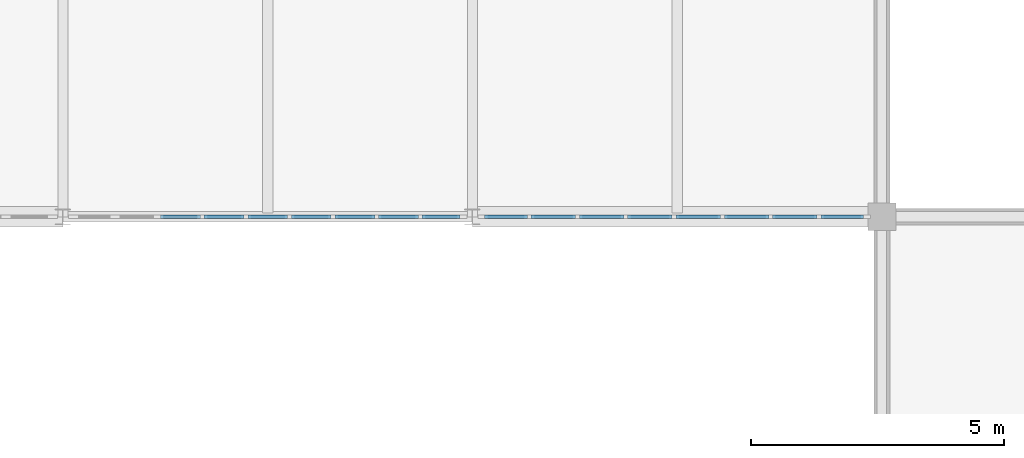
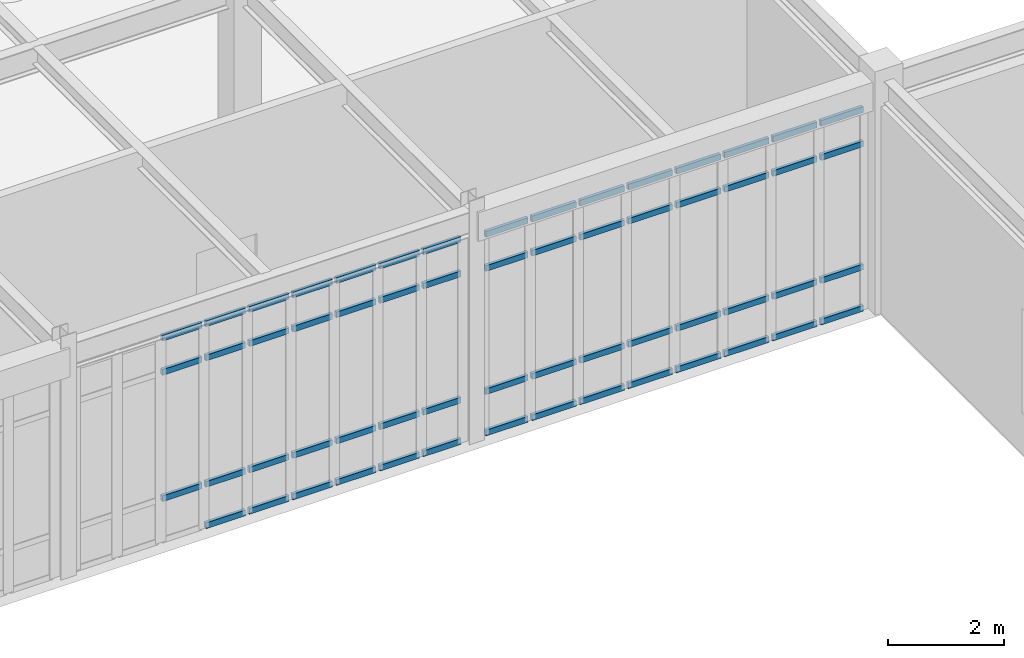
# One storey, part 63 of 107: 59 members, 2 elements without a shape of their own.
"""IFC4 building model written with IfcOpenShell, lengths in metres."""

import ifcopenshell
import ifcopenshell.guid

model = None  # the IFC model being written
_history = None  # IfcOwnerHistory: only IFC2X3 demands one
_inside = {}  # id of a spatial element -> (the spatial element, [elements in it])
_under = {}  # id of a project, library or spatial element -> (it, [spatial elements below it])
_declared = {}  # id of a project -> (the project, [libraries it declares])
_typed = {}  # id of a type object -> (the type object, [elements of that type])
_made_of = {}  # id of a material, layer set ... -> (it, [elements and type objects made of it])


def new_model(schema):
    """Start an empty IFC model of exactly this schema.

    Asked for "IFC4X3", IfcOpenShell would pick the latest addendum, in which some entities
    have other attributes; the version numbers below select the first issue.
    IFC2X3 requires an IfcOwnerHistory on every rooted entity: one is made here for all.
    """
    global model, _history
    if schema == "IFC4X3":
        model = ifcopenshell.file(schema_version=(4, 3, 0, 0))
    else:
        model = ifcopenshell.file(schema=schema)
    _inside.clear()
    _under.clear()
    _declared.clear()
    _typed.clear()
    _made_of.clear()
    _history = None
    if model.schema == "IFC2X3":
        org = make("IfcOrganization", Name="unknown")
        user = make(
            "IfcPersonAndOrganization",
            ThePerson=make("IfcPerson", FamilyName="unknown"),
            TheOrganization=org,
        )
        app = make(
            "IfcApplication",
            ApplicationDeveloper=org,
            Version="unknown",
            ApplicationFullName="unknown",
            ApplicationIdentifier="unknown",
        )
        _history = make(
            "IfcOwnerHistory",
            OwningUser=user,
            OwningApplication=app,
            ChangeAction="ADDED",
            CreationDate=0,
        )
    return model


def make(cls, **values):
    """One entity of the class cls with the attributes given. An attribute that is None is left unset."""
    return model.create_entity(
        cls, **{name: value for name, value in values.items() if value is not None}
    )


def rooted(cls, **values):
    """An entity with a GlobalId (a new one), such as an element, a storey or a relation."""
    return make(cls, GlobalId=ifcopenshell.guid.new(), OwnerHistory=_history, **values)


def si_unit(unit_type, name, prefix=None):
    """IfcSIUnit, for example si_unit("LENGTHUNIT", "METRE", prefix="MILLI")."""
    return make("IfcSIUnit", UnitType=unit_type, Prefix=prefix, Name=name)


def assignment(units):
    """IfcUnitAssignment: the units of a project."""
    return None if units is None else make("IfcUnitAssignment", Units=units)


def point(xyz):
    """IfcCartesianPoint."""
    return None if xyz is None else make("IfcCartesianPoint", Coordinates=xyz)


def direction(xyz):
    """IfcDirection."""
    return None if xyz is None else make("IfcDirection", DirectionRatios=xyz)


def frame(location, z_axis=None, x_axis=None):
    """IfcAxis2Placement3D, a coordinate frame: its origin and axes. An axis left out is left unset."""
    return make(
        "IfcAxis2Placement3D",
        Location=point(location),
        Axis=direction(z_axis),
        RefDirection=direction(x_axis),
    )


def frame_2d(location, x_axis=None):
    """IfcAxis2Placement2D, a coordinate frame in the plane: its origin and x axis."""
    return make(
        "IfcAxis2Placement2D", Location=point(location), RefDirection=direction(x_axis)
    )


def origin():
    """The frame at (0, 0, 0) with its axes left unset."""
    return frame((0.0, 0.0, 0.0))


def origin_2d():
    """The frame at (0, 0) in the plane with its x axis left unset."""
    return frame_2d((0.0, 0.0))


def place(relative_to, where):
    """IfcLocalPlacement: puts the frame where relative to a parent placement (None: the world)."""
    return make(
        "IfcLocalPlacement", PlacementRelTo=relative_to, RelativePlacement=where
    )


def context(
    kind, dimensions, precision=None, world=None, true_north=None, identifier=None
):
    """IfcGeometricRepresentationContext, for example the 3D "Model" context."""
    return make(
        "IfcGeometricRepresentationContext",
        ContextIdentifier=identifier,
        ContextType=kind,
        CoordinateSpaceDimension=dimensions,
        Precision=precision,
        WorldCoordinateSystem=world,
        TrueNorth=true_north,
    )


def subcontext(parent, identifier, kind, view, scale=None):
    """IfcGeometricRepresentationSubContext, for example "Body" below "Model"."""
    return make(
        "IfcGeometricRepresentationSubContext",
        ContextIdentifier=identifier,
        ContextType=kind,
        ParentContext=parent,
        TargetScale=scale,
        TargetView=view,
    )


def project(units=None, contexts=None):
    """IfcProject with its units and contexts."""
    return rooted(
        "IfcProject",
        Name="project",
        RepresentationContexts=contexts,
        UnitsInContext=assignment(units),
    )


def spatial(cls, under=None, at=None, **own):
    """A site, building, storey or space (cls), placed at a placement, below another one or the project."""
    s = rooted(cls, ObjectPlacement=at, **own)
    if under is not None:
        _under.setdefault(under.id(), (under, []))[1].append(s)
    return s


def profile(cls, at=None, kind="AREA", **sizes):
    """A parametric profile (cls). Its sizes go by their IFC names, for example OverallWidth=200.0."""
    return make(cls, ProfileType=kind, Position=at, **sizes)


def rectangle(**sizes):
    """IfcRectangleProfileDef."""
    return profile("IfcRectangleProfileDef", **sizes)


def extrude(swept, where, along, depth):
    """IfcExtrudedAreaSolid: the profile swept, set in the frame where, extruded along a direction by depth."""
    return make(
        "IfcExtrudedAreaSolid",
        SweptArea=swept,
        Position=where,
        ExtrudedDirection=direction(along),
        Depth=depth,
    )


def shape(context_of_items, identifier, shape_type, items):
    """IfcShapeRepresentation: the items that make up one representation, for example the "Body"."""
    return make(
        "IfcShapeRepresentation",
        ContextOfItems=context_of_items,
        RepresentationIdentifier=identifier,
        RepresentationType=shape_type,
        Items=items,
    )


def material(Name=None, Category=None):
    """IfcMaterial."""
    return make("IfcMaterial", Name=Name, Category=Category)


def material_profile(
    of_material, cross_section, Name=None, Category=None, Priority=None
):
    """IfcMaterialProfile: a cross section and its material."""
    return make(
        "IfcMaterialProfile",
        Name=Name,
        Material=of_material,
        Profile=cross_section,
        Priority=Priority,
        Category=Category,
    )


def profile_set(profiles, Name=None, composite=None):
    """IfcMaterialProfileSet."""
    return make(
        "IfcMaterialProfileSet",
        Name=Name,
        MaterialProfiles=profiles,
        CompositeProfile=composite,
    )


def made_of(thing, what):
    """Note that an element or type object is made of a material, layer set ...; save() writes the relation."""
    if what is not None:
        _made_of.setdefault(what.id(), (what, []))[1].append(thing)
    return thing


def type_object(cls, material=None, **own):
    """A type object (cls), such as IfcWallType, which elements share."""
    return made_of(rooted(cls, **own), material)


def element(
    cls,
    number,
    at=None,
    inside=None,
    cuts=None,
    type_object=None,
    material=None,
    context=None,
    identifier="Body",
    shape_type=None,
    held_by="IfcProductDefinitionShape",
    body=None,
    shapes=None,
    **own,
):
    """One element of the class cls, such as IfcWall. Its Tag is "e" and its number.

    at: its placement. inside: the storey or other place that contains it. cuts: it is an
    opening in that element (IfcRelVoidsElement). A single representation is given by context,
    identifier, shape_type and body (its items); several are given by shapes. held_by: the class
    of the entity that holds the representations. save() writes the other relations.
    """
    e = rooted(cls, Tag="e%d" % number, ObjectPlacement=at, **own)
    if body is not None:
        shapes = [shape(context, identifier, shape_type, body)]
    if shapes is not None:
        e.Representation = make(held_by, Representations=shapes)
    if inside is not None:
        _inside.setdefault(inside.id(), (inside, []))[1].append(e)
    if cuts is not None:
        rooted(
            "IfcRelVoidsElement", RelatingBuildingElement=cuts, RelatedOpeningElement=e
        )
    if type_object is not None:
        _typed.setdefault(type_object.id(), (type_object, []))[1].append(e)
    return made_of(e, material)


def aggregate(whole, parts):
    """IfcRelAggregates: a whole, such as a stair, and the parts it consists of."""
    return rooted("IfcRelAggregates", RelatingObject=whole, RelatedObjects=parts)


def save(model, path):
    """Write the relations noted so far, then the file.

    IfcRelAggregates (storeys below a building ...), IfcRelContainedInSpatialStructure (elements
    in a storey), IfcRelDefinesByType, IfcRelAssociatesMaterial and IfcRelDeclares: one each for
    every whole, place, type object, material and project.
    """
    for whole, parts in _under.values():
        aggregate(whole, parts)
    for where, things in _inside.values():
        rooted(
            "IfcRelContainedInSpatialStructure",
            RelatedElements=things,
            RelatingStructure=where,
        )
    for kind, things in _typed.values():
        rooted("IfcRelDefinesByType", RelatedObjects=things, RelatingType=kind)
    for what, things in _made_of.values():
        rooted("IfcRelAssociatesMaterial", RelatedObjects=things, RelatingMaterial=what)
    for by, libraries in _declared.values():
        rooted("IfcRelDeclares", RelatingContext=by, RelatedDefinitions=libraries)
    model.write(path)


model = new_model("IFC4")

# Units and contexts
model_context = context("Model", 3, precision=1e-05, world=origin(), true_north=direction((0.0, 1.0)))
body_context = subcontext(model_context, "Body", "Model", "MODEL_VIEW")
ifc_project = project(units=[si_unit("LENGTHUNIT", "METRE"), si_unit("AREAUNIT", "SQUARE_METRE"), si_unit("VOLUMEUNIT", "CUBIC_METRE"), si_unit("PLANEANGLEUNIT", "RADIAN"), si_unit("MASSUNIT", "GRAM", prefix="KILO")], contexts=[model_context])

# Site, building, storey
site_placement = place(None, origin())
site = spatial("IfcSite", under=ifc_project, at=site_placement, CompositionType="ELEMENT")
building_placement = place(site_placement, origin())
building = spatial("IfcBuilding", under=site, at=building_placement, Name="Tarnveldt Square Police Headquarters", CompositionType="ELEMENT")
storey_placement = place(building_placement, frame((0.0, 0.0, 14.699951171875)))
storey = spatial("IfcBuildingStorey", under=building, at=storey_placement, Name="L03", CompositionType="ELEMENT", Elevation=14.699951171875)

# Curtain wall, members
ifc_material_1 = material(Name="Triple-glazed low-e laminated vision glass", Category="glass")
curtain_wall_type_1 = type_object("IfcCurtainWallType", Name="CW-LB-776x430", PredefinedType="USERDEFINED", material=ifc_material_1)
curtain_wall_1_placement = place(storey_placement, origin())
curtain_wall_1 = element("IfcCurtainWall", 1, at=curtain_wall_1_placement, inside=storey, type_object=curtain_wall_type_1, Name="L03 Curtain Wall CW-L03-124", ObjectType="GLAZED CURTAIN WALL", PredefinedType="USERDEFINED")
ifc_material_2 = material(Name="Thermally broken anodised aluminium 6063-T6", Category="aluminium")
ifc_material_profile = material_profile(ifc_material_2, rectangle(XDim=0.06494140625, YDim=0.1201171875, at=origin_2d()), Name="CW-T65x120")
ifc_profile_set = profile_set([ifc_material_profile], Name="Thermally broken anodised aluminium 6063-T6")
member_type = type_object("IfcMemberType", Name="CWT-65x120", PredefinedType="USERDEFINED", material=ifc_profile_set)
member_1_placement = place(storey_placement, frame((91.031494140625, 96.0, 0.900146484375), z_axis=(1.0, 0.0, 0.0), x_axis=(0.0, 1.0, 0.0)))
member_1 = element("IfcMember", 2, at=member_1_placement, type_object=member_type, Name="CW-LB75 transom 3.2", ObjectType="TRANSOM", PredefinedType="USERDEFINED", context=body_context, shape_type="SweptSolid", body=[
    extrude(rectangle(XDim=0.06494140625, YDim=0.1201171875, at=origin_2d()), origin(), (0.0, 0.0, 1.0), 0.787353515625),
])
member_2_placement = place(storey_placement, frame((91.031494140625, 96.0, 3.549072265625), z_axis=(1.0, 0.0, 0.0), x_axis=(0.0, 1.0, 0.0)))
member_2 = element("IfcMember", 3, at=member_2_placement, type_object=member_type, Name="CW-LB75 transom 3.3", ObjectType="TRANSOM", PredefinedType="USERDEFINED", context=body_context, shape_type="SweptSolid", body=[
    extrude(rectangle(XDim=0.06494140625, YDim=0.1201171875, at=origin_2d()), origin(), (0.0, 0.0, 1.0), 0.787353515625),
])
member_3_placement = place(storey_placement, frame((91.031494140625, 96.0, 4.2666015625), z_axis=(1.0, 0.0, 0.0), x_axis=(0.0, 1.0, 0.0)))
member_3 = element("IfcMember", 4, at=member_3_placement, type_object=member_type, Name="CW-LB75 transom 3.4", ObjectType="TRANSOM", PredefinedType="USERDEFINED", context=body_context, shape_type="SweptSolid", body=[
    extrude(rectangle(XDim=0.06494140625, YDim=0.1201171875, at=origin_2d()), origin(), (0.0, 0.0, 1.0), 0.787353515625),
])
member_4_placement = place(storey_placement, frame((91.893798828125, 96.0, 0.032470703125), z_axis=(1.0, 0.0, 0.0), x_axis=(0.0, 1.0, 0.0)))
member_4 = element("IfcMember", 5, at=member_4_placement, type_object=member_type, Name="CW-LB75 transom 4.1", ObjectType="TRANSOM", PredefinedType="USERDEFINED", context=body_context, shape_type="SweptSolid", body=[
    extrude(rectangle(XDim=0.06494140625, YDim=0.1201171875, at=origin_2d()), origin(), (0.0, 0.0, 1.0), 0.78759765625),
])
member_5_placement = place(storey_placement, frame((91.893798828125, 96.0, 0.900146484375), z_axis=(1.0, 0.0, 0.0), x_axis=(0.0, 1.0, 0.0)))
member_5 = element("IfcMember", 6, at=member_5_placement, type_object=member_type, Name="CW-LB75 transom 4.2", ObjectType="TRANSOM", PredefinedType="USERDEFINED", context=body_context, shape_type="SweptSolid", body=[
    extrude(rectangle(XDim=0.06494140625, YDim=0.1201171875, at=origin_2d()), origin(), (0.0, 0.0, 1.0), 0.78759765625),
])
member_6_placement = place(storey_placement, frame((91.893798828125, 96.0, 3.549072265625), z_axis=(1.0, 0.0, 0.0), x_axis=(0.0, 1.0, 0.0)))
member_6 = element("IfcMember", 7, at=member_6_placement, type_object=member_type, Name="CW-LB75 transom 4.3", ObjectType="TRANSOM", PredefinedType="USERDEFINED", context=body_context, shape_type="SweptSolid", body=[
    extrude(rectangle(XDim=0.06494140625, YDim=0.1201171875, at=origin_2d()), origin(), (0.0, 0.0, 1.0), 0.78759765625),
])
member_7_placement = place(storey_placement, frame((91.893798828125, 96.0, 4.2666015625), z_axis=(1.0, 0.0, 0.0), x_axis=(0.0, 1.0, 0.0)))
member_7 = element("IfcMember", 8, at=member_7_placement, type_object=member_type, Name="CW-LB75 transom 4.4", ObjectType="TRANSOM", PredefinedType="USERDEFINED", context=body_context, shape_type="SweptSolid", body=[
    extrude(rectangle(XDim=0.06494140625, YDim=0.1201171875, at=origin_2d()), origin(), (0.0, 0.0, 1.0), 0.78759765625),
])
member_8_placement = place(storey_placement, frame((92.75634765625, 96.0, 0.032470703125), z_axis=(1.0, 0.0, 0.0), x_axis=(0.0, 1.0, 0.0)))
member_8 = element("IfcMember", 9, at=member_8_placement, type_object=member_type, Name="CW-LB75 transom 5.1", ObjectType="TRANSOM", PredefinedType="USERDEFINED", context=body_context, shape_type="SweptSolid", body=[
    extrude(rectangle(XDim=0.06494140625, YDim=0.1201171875, at=origin_2d()), origin(), (0.0, 0.0, 1.0), 0.787353515625),
])
member_9_placement = place(storey_placement, frame((92.75634765625, 96.0, 0.900146484375), z_axis=(1.0, 0.0, 0.0), x_axis=(0.0, 1.0, 0.0)))
member_9 = element("IfcMember", 10, at=member_9_placement, type_object=member_type, Name="CW-LB75 transom 5.2", ObjectType="TRANSOM", PredefinedType="USERDEFINED", context=body_context, shape_type="SweptSolid", body=[
    extrude(rectangle(XDim=0.06494140625, YDim=0.1201171875, at=origin_2d()), origin(), (0.0, 0.0, 1.0), 0.787353515625),
])
member_10_placement = place(storey_placement, frame((92.75634765625, 96.0, 3.549072265625), z_axis=(1.0, 0.0, 0.0), x_axis=(0.0, 1.0, 0.0)))
member_10 = element("IfcMember", 11, at=member_10_placement, type_object=member_type, Name="CW-LB75 transom 5.3", ObjectType="TRANSOM", PredefinedType="USERDEFINED", context=body_context, shape_type="SweptSolid", body=[
    extrude(rectangle(XDim=0.06494140625, YDim=0.1201171875, at=origin_2d()), origin(), (0.0, 0.0, 1.0), 0.787353515625),
])
member_11_placement = place(storey_placement, frame((92.75634765625, 96.0, 4.2666015625), z_axis=(1.0, 0.0, 0.0), x_axis=(0.0, 1.0, 0.0)))
member_11 = element("IfcMember", 12, at=member_11_placement, type_object=member_type, Name="CW-LB75 transom 5.4", ObjectType="TRANSOM", PredefinedType="USERDEFINED", context=body_context, shape_type="SweptSolid", body=[
    extrude(rectangle(XDim=0.06494140625, YDim=0.1201171875, at=origin_2d()), origin(), (0.0, 0.0, 1.0), 0.787353515625),
])
member_12_placement = place(storey_placement, frame((93.61865234375, 96.0, 0.032470703125), z_axis=(1.0, 0.0, 0.0), x_axis=(0.0, 1.0, 0.0)))
member_12 = element("IfcMember", 13, at=member_12_placement, type_object=member_type, Name="CW-LB75 transom 6.1", ObjectType="TRANSOM", PredefinedType="USERDEFINED", context=body_context, shape_type="SweptSolid", body=[
    extrude(rectangle(XDim=0.06494140625, YDim=0.1201171875, at=origin_2d()), origin(), (0.0, 0.0, 1.0), 0.78759765625),
])
member_13_placement = place(storey_placement, frame((93.61865234375, 96.0, 0.900146484375), z_axis=(1.0, 0.0, 0.0), x_axis=(0.0, 1.0, 0.0)))
member_13 = element("IfcMember", 14, at=member_13_placement, type_object=member_type, Name="CW-LB75 transom 6.2", ObjectType="TRANSOM", PredefinedType="USERDEFINED", context=body_context, shape_type="SweptSolid", body=[
    extrude(rectangle(XDim=0.06494140625, YDim=0.1201171875, at=origin_2d()), origin(), (0.0, 0.0, 1.0), 0.78759765625),
])
member_14_placement = place(storey_placement, frame((93.61865234375, 96.0, 3.549072265625), z_axis=(1.0, 0.0, 0.0), x_axis=(0.0, 1.0, 0.0)))
member_14 = element("IfcMember", 15, at=member_14_placement, type_object=member_type, Name="CW-LB75 transom 6.3", ObjectType="TRANSOM", PredefinedType="USERDEFINED", context=body_context, shape_type="SweptSolid", body=[
    extrude(rectangle(XDim=0.06494140625, YDim=0.1201171875, at=origin_2d()), origin(), (0.0, 0.0, 1.0), 0.78759765625),
])
member_15_placement = place(storey_placement, frame((93.61865234375, 96.0, 4.2666015625), z_axis=(1.0, 0.0, 0.0), x_axis=(0.0, 1.0, 0.0)))
member_15 = element("IfcMember", 16, at=member_15_placement, type_object=member_type, Name="CW-LB75 transom 6.4", ObjectType="TRANSOM", PredefinedType="USERDEFINED", context=body_context, shape_type="SweptSolid", body=[
    extrude(rectangle(XDim=0.06494140625, YDim=0.1201171875, at=origin_2d()), origin(), (0.0, 0.0, 1.0), 0.78759765625),
])
member_16_placement = place(storey_placement, frame((94.481201171875, 96.0, 0.032470703125), z_axis=(1.0, 0.0, 0.0), x_axis=(0.0, 1.0, 0.0)))
member_16 = element("IfcMember", 17, at=member_16_placement, type_object=member_type, Name="CW-LB75 transom 7.1", ObjectType="TRANSOM", PredefinedType="USERDEFINED", context=body_context, shape_type="SweptSolid", body=[
    extrude(rectangle(XDim=0.06494140625, YDim=0.1201171875, at=origin_2d()), origin(), (0.0, 0.0, 1.0), 0.787353515625),
])
member_17_placement = place(storey_placement, frame((94.481201171875, 96.0, 0.900146484375), z_axis=(1.0, 0.0, 0.0), x_axis=(0.0, 1.0, 0.0)))
member_17 = element("IfcMember", 18, at=member_17_placement, type_object=member_type, Name="CW-LB75 transom 7.2", ObjectType="TRANSOM", PredefinedType="USERDEFINED", context=body_context, shape_type="SweptSolid", body=[
    extrude(rectangle(XDim=0.06494140625, YDim=0.1201171875, at=origin_2d()), origin(), (0.0, 0.0, 1.0), 0.787353515625),
])
member_18_placement = place(storey_placement, frame((94.481201171875, 96.0, 3.549072265625), z_axis=(1.0, 0.0, 0.0), x_axis=(0.0, 1.0, 0.0)))
member_18 = element("IfcMember", 19, at=member_18_placement, type_object=member_type, Name="CW-LB75 transom 7.3", ObjectType="TRANSOM", PredefinedType="USERDEFINED", context=body_context, shape_type="SweptSolid", body=[
    extrude(rectangle(XDim=0.06494140625, YDim=0.1201171875, at=origin_2d()), origin(), (0.0, 0.0, 1.0), 0.787353515625),
])
member_19_placement = place(storey_placement, frame((94.481201171875, 96.0, 4.2666015625), z_axis=(1.0, 0.0, 0.0), x_axis=(0.0, 1.0, 0.0)))
member_19 = element("IfcMember", 20, at=member_19_placement, type_object=member_type, Name="CW-LB75 transom 7.4", ObjectType="TRANSOM", PredefinedType="USERDEFINED", context=body_context, shape_type="SweptSolid", body=[
    extrude(rectangle(XDim=0.06494140625, YDim=0.1201171875, at=origin_2d()), origin(), (0.0, 0.0, 1.0), 0.787353515625),
])
member_20_placement = place(storey_placement, frame((95.343505859375, 96.0, 0.032470703125), z_axis=(1.0, 0.0, 0.0), x_axis=(0.0, 1.0, 0.0)))
member_20 = element("IfcMember", 21, at=member_20_placement, type_object=member_type, Name="CW-LB75 transom 8.1", ObjectType="TRANSOM", PredefinedType="USERDEFINED", context=body_context, shape_type="SweptSolid", body=[
    extrude(rectangle(XDim=0.06494140625, YDim=0.1201171875, at=origin_2d()), origin(), (0.0, 0.0, 1.0), 0.78759765625),
])
member_21_placement = place(storey_placement, frame((95.343505859375, 96.0, 0.900146484375), z_axis=(1.0, 0.0, 0.0), x_axis=(0.0, 1.0, 0.0)))
member_21 = element("IfcMember", 22, at=member_21_placement, type_object=member_type, Name="CW-LB75 transom 8.2", ObjectType="TRANSOM", PredefinedType="USERDEFINED", context=body_context, shape_type="SweptSolid", body=[
    extrude(rectangle(XDim=0.06494140625, YDim=0.1201171875, at=origin_2d()), origin(), (0.0, 0.0, 1.0), 0.78759765625),
])
member_22_placement = place(storey_placement, frame((95.343505859375, 96.0, 3.549072265625), z_axis=(1.0, 0.0, 0.0), x_axis=(0.0, 1.0, 0.0)))
member_22 = element("IfcMember", 23, at=member_22_placement, type_object=member_type, Name="CW-LB75 transom 8.3", ObjectType="TRANSOM", PredefinedType="USERDEFINED", context=body_context, shape_type="SweptSolid", body=[
    extrude(rectangle(XDim=0.06494140625, YDim=0.1201171875, at=origin_2d()), origin(), (0.0, 0.0, 1.0), 0.78759765625),
])
member_23_placement = place(storey_placement, frame((95.343505859375, 96.0, 4.2666015625), z_axis=(1.0, 0.0, 0.0), x_axis=(0.0, 1.0, 0.0)))
member_23 = element("IfcMember", 24, at=member_23_placement, type_object=member_type, Name="CW-LB75 transom 8.4", ObjectType="TRANSOM", PredefinedType="USERDEFINED", context=body_context, shape_type="SweptSolid", body=[
    extrude(rectangle(XDim=0.06494140625, YDim=0.1201171875, at=origin_2d()), origin(), (0.0, 0.0, 1.0), 0.78759765625),
])
member_24_placement = place(storey_placement, frame((96.2060546875, 96.0, 0.032470703125), z_axis=(1.0, 0.0, 0.0), x_axis=(0.0, 1.0, 0.0)))
member_24 = element("IfcMember", 25, at=member_24_placement, type_object=member_type, Name="CW-LB75 transom 9.1", ObjectType="TRANSOM", PredefinedType="USERDEFINED", context=body_context, shape_type="SweptSolid", body=[
    extrude(rectangle(XDim=0.06494140625, YDim=0.1201171875, at=origin_2d()), origin(), (0.0, 0.0, 1.0), 0.75),
])
member_25_placement = place(storey_placement, frame((96.2060546875, 96.0, 0.900146484375), z_axis=(1.0, 0.0, 0.0), x_axis=(0.0, 1.0, 0.0)))
member_25 = element("IfcMember", 26, at=member_25_placement, type_object=member_type, Name="CW-LB75 transom 9.2", ObjectType="TRANSOM", PredefinedType="USERDEFINED", context=body_context, shape_type="SweptSolid", body=[
    extrude(rectangle(XDim=0.06494140625, YDim=0.1201171875, at=origin_2d()), origin(), (0.0, 0.0, 1.0), 0.75),
])
member_26_placement = place(storey_placement, frame((96.2060546875, 96.0, 3.549072265625), z_axis=(1.0, 0.0, 0.0), x_axis=(0.0, 1.0, 0.0)))
member_26 = element("IfcMember", 27, at=member_26_placement, type_object=member_type, Name="CW-LB75 transom 9.3", ObjectType="TRANSOM", PredefinedType="USERDEFINED", context=body_context, shape_type="SweptSolid", body=[
    extrude(rectangle(XDim=0.06494140625, YDim=0.1201171875, at=origin_2d()), origin(), (0.0, 0.0, 1.0), 0.75),
])
member_27_placement = place(storey_placement, frame((96.2060546875, 96.0, 4.2666015625), z_axis=(1.0, 0.0, 0.0), x_axis=(0.0, 1.0, 0.0)))
member_27 = element("IfcMember", 28, at=member_27_placement, type_object=member_type, Name="CW-LB75 transom 9.4", ObjectType="TRANSOM", PredefinedType="USERDEFINED", context=body_context, shape_type="SweptSolid", body=[
    extrude(rectangle(XDim=0.06494140625, YDim=0.1201171875, at=origin_2d()), origin(), (0.0, 0.0, 1.0), 0.75),
])
aggregate(curtain_wall_1, [member_1, member_2, member_3, member_4, member_5, member_6, member_7, member_8, member_9, member_10, member_11, member_12, member_13, member_14, member_15, member_16, member_17, member_18, member_19, member_20, member_21, member_22, member_23, member_24, member_25, member_26, member_27])

curtain_wall_type_2 = type_object("IfcCurtainWallType", Name="CW-LB-764x423", PredefinedType="USERDEFINED", material=ifc_material_1)
curtain_wall_2_placement = place(storey_placement, origin())
curtain_wall_2 = element("IfcCurtainWall", 29, at=curtain_wall_2_placement, inside=storey, type_object=curtain_wall_type_2, Name="L03 Curtain Wall CW-L03-125", ObjectType="GLAZED CURTAIN WALL", PredefinedType="USERDEFINED")
member_28_placement = place(storey_placement, frame((97.444091796875, 96.0, 0.032470703125), z_axis=(1.0, 0.0, 0.0), x_axis=(0.0, 1.0, 0.0)))
member_28 = element("IfcMember", 30, at=member_28_placement, type_object=member_type, Name="CW-LB74 transom 1.1", ObjectType="TRANSOM", PredefinedType="USERDEFINED", context=body_context, shape_type="SweptSolid", body=[
    extrude(rectangle(XDim=0.06494140625, YDim=0.1201171875, at=origin_2d()), origin(), (0.0, 0.0, 1.0), 0.842529296875),
])
member_29_placement = place(storey_placement, frame((97.444091796875, 96.0, 0.900146484375), z_axis=(1.0, 0.0, 0.0), x_axis=(0.0, 1.0, 0.0)))
member_29 = element("IfcMember", 31, at=member_29_placement, type_object=member_type, Name="CW-LB74 transom 1.2", ObjectType="TRANSOM", PredefinedType="USERDEFINED", context=body_context, shape_type="SweptSolid", body=[
    extrude(rectangle(XDim=0.06494140625, YDim=0.1201171875, at=origin_2d()), origin(), (0.0, 0.0, 1.0), 0.842529296875),
])
member_30_placement = place(storey_placement, frame((97.444091796875, 96.0, 3.48193359375), z_axis=(1.0, 0.0, 0.0), x_axis=(0.0, 1.0, 0.0)))
member_30 = element("IfcMember", 32, at=member_30_placement, type_object=member_type, Name="CW-LB74 transom 1.3", ObjectType="TRANSOM", PredefinedType="USERDEFINED", context=body_context, shape_type="SweptSolid", body=[
    extrude(rectangle(XDim=0.06494140625, YDim=0.1201171875, at=origin_2d()), origin(), (0.0, 0.0, 1.0), 0.842529296875),
])
member_31_placement = place(storey_placement, frame((97.444091796875, 96.0, 4.199462890625), z_axis=(1.0, 0.0, 0.0), x_axis=(0.0, 1.0, 0.0)))
member_31 = element("IfcMember", 33, at=member_31_placement, type_object=member_type, Name="CW-LB74 transom 1.4", ObjectType="TRANSOM", PredefinedType="USERDEFINED", context=body_context, shape_type="SweptSolid", body=[
    extrude(rectangle(XDim=0.06494140625, YDim=0.1201171875, at=origin_2d()), origin(), (0.0, 0.0, 1.0), 0.842529296875),
])
member_32_placement = place(storey_placement, frame((98.361572265625, 96.0, 0.032470703125), z_axis=(1.0, 0.0, 0.0), x_axis=(0.0, 1.0, 0.0)))
member_32 = element("IfcMember", 34, at=member_32_placement, type_object=member_type, Name="CW-LB74 transom 2.1", ObjectType="TRANSOM", PredefinedType="USERDEFINED", context=body_context, shape_type="SweptSolid", body=[
    extrude(rectangle(XDim=0.06494140625, YDim=0.1201171875, at=origin_2d()), origin(), (0.0, 0.0, 1.0), 0.880126953125),
])
member_33_placement = place(storey_placement, frame((98.361572265625, 96.0, 0.900146484375), z_axis=(1.0, 0.0, 0.0), x_axis=(0.0, 1.0, 0.0)))
member_33 = element("IfcMember", 35, at=member_33_placement, type_object=member_type, Name="CW-LB74 transom 2.2", ObjectType="TRANSOM", PredefinedType="USERDEFINED", context=body_context, shape_type="SweptSolid", body=[
    extrude(rectangle(XDim=0.06494140625, YDim=0.1201171875, at=origin_2d()), origin(), (0.0, 0.0, 1.0), 0.880126953125),
])
member_34_placement = place(storey_placement, frame((98.361572265625, 96.0, 3.48193359375), z_axis=(1.0, 0.0, 0.0), x_axis=(0.0, 1.0, 0.0)))
member_34 = element("IfcMember", 36, at=member_34_placement, type_object=member_type, Name="CW-LB74 transom 2.3", ObjectType="TRANSOM", PredefinedType="USERDEFINED", context=body_context, shape_type="SweptSolid", body=[
    extrude(rectangle(XDim=0.06494140625, YDim=0.1201171875, at=origin_2d()), origin(), (0.0, 0.0, 1.0), 0.880126953125),
])
member_35_placement = place(storey_placement, frame((98.361572265625, 96.0, 4.199462890625), z_axis=(1.0, 0.0, 0.0), x_axis=(0.0, 1.0, 0.0)))
member_35 = element("IfcMember", 37, at=member_35_placement, type_object=member_type, Name="CW-LB74 transom 2.4", ObjectType="TRANSOM", PredefinedType="USERDEFINED", context=body_context, shape_type="SweptSolid", body=[
    extrude(rectangle(XDim=0.06494140625, YDim=0.1201171875, at=origin_2d()), origin(), (0.0, 0.0, 1.0), 0.880126953125),
])
member_36_placement = place(storey_placement, frame((99.316650390625, 96.0, 0.032470703125), z_axis=(1.0, 0.0, 0.0), x_axis=(0.0, 1.0, 0.0)))
member_36 = element("IfcMember", 38, at=member_36_placement, type_object=member_type, Name="CW-LB74 transom 3.1", ObjectType="TRANSOM", PredefinedType="USERDEFINED", context=body_context, shape_type="SweptSolid", body=[
    extrude(rectangle(XDim=0.06494140625, YDim=0.1201171875, at=origin_2d()), origin(), (0.0, 0.0, 1.0), 0.880126953125),
])
member_37_placement = place(storey_placement, frame((99.316650390625, 96.0, 0.900146484375), z_axis=(1.0, 0.0, 0.0), x_axis=(0.0, 1.0, 0.0)))
member_37 = element("IfcMember", 39, at=member_37_placement, type_object=member_type, Name="CW-LB74 transom 3.2", ObjectType="TRANSOM", PredefinedType="USERDEFINED", context=body_context, shape_type="SweptSolid", body=[
    extrude(rectangle(XDim=0.06494140625, YDim=0.1201171875, at=origin_2d()), origin(), (0.0, 0.0, 1.0), 0.880126953125),
])
member_38_placement = place(storey_placement, frame((99.316650390625, 96.0, 3.48193359375), z_axis=(1.0, 0.0, 0.0), x_axis=(0.0, 1.0, 0.0)))
member_38 = element("IfcMember", 40, at=member_38_placement, type_object=member_type, Name="CW-LB74 transom 3.3", ObjectType="TRANSOM", PredefinedType="USERDEFINED", context=body_context, shape_type="SweptSolid", body=[
    extrude(rectangle(XDim=0.06494140625, YDim=0.1201171875, at=origin_2d()), origin(), (0.0, 0.0, 1.0), 0.880126953125),
])
member_39_placement = place(storey_placement, frame((99.316650390625, 96.0, 4.199462890625), z_axis=(1.0, 0.0, 0.0), x_axis=(0.0, 1.0, 0.0)))
member_39 = element("IfcMember", 41, at=member_39_placement, type_object=member_type, Name="CW-LB74 transom 3.4", ObjectType="TRANSOM", PredefinedType="USERDEFINED", context=body_context, shape_type="SweptSolid", body=[
    extrude(rectangle(XDim=0.06494140625, YDim=0.1201171875, at=origin_2d()), origin(), (0.0, 0.0, 1.0), 0.880126953125),
])
member_40_placement = place(storey_placement, frame((100.27197265625, 96.0, 0.032470703125), z_axis=(1.0, 0.0, 0.0), x_axis=(0.0, 1.0, 0.0)))
member_40 = element("IfcMember", 42, at=member_40_placement, type_object=member_type, Name="CW-LB74 transom 4.1", ObjectType="TRANSOM", PredefinedType="USERDEFINED", context=body_context, shape_type="SweptSolid", body=[
    extrude(rectangle(XDim=0.06494140625, YDim=0.1201171875, at=origin_2d()), origin(), (0.0, 0.0, 1.0), 0.880126953125),
])
member_41_placement = place(storey_placement, frame((100.27197265625, 96.0, 0.900146484375), z_axis=(1.0, 0.0, 0.0), x_axis=(0.0, 1.0, 0.0)))
member_41 = element("IfcMember", 43, at=member_41_placement, type_object=member_type, Name="CW-LB74 transom 4.2", ObjectType="TRANSOM", PredefinedType="USERDEFINED", context=body_context, shape_type="SweptSolid", body=[
    extrude(rectangle(XDim=0.06494140625, YDim=0.1201171875, at=origin_2d()), origin(), (0.0, 0.0, 1.0), 0.880126953125),
])
member_42_placement = place(storey_placement, frame((100.27197265625, 96.0, 3.48193359375), z_axis=(1.0, 0.0, 0.0), x_axis=(0.0, 1.0, 0.0)))
member_42 = element("IfcMember", 44, at=member_42_placement, type_object=member_type, Name="CW-LB74 transom 4.3", ObjectType="TRANSOM", PredefinedType="USERDEFINED", context=body_context, shape_type="SweptSolid", body=[
    extrude(rectangle(XDim=0.06494140625, YDim=0.1201171875, at=origin_2d()), origin(), (0.0, 0.0, 1.0), 0.880126953125),
])
member_43_placement = place(storey_placement, frame((100.27197265625, 96.0, 4.199462890625), z_axis=(1.0, 0.0, 0.0), x_axis=(0.0, 1.0, 0.0)))
member_43 = element("IfcMember", 45, at=member_43_placement, type_object=member_type, Name="CW-LB74 transom 4.4", ObjectType="TRANSOM", PredefinedType="USERDEFINED", context=body_context, shape_type="SweptSolid", body=[
    extrude(rectangle(XDim=0.06494140625, YDim=0.1201171875, at=origin_2d()), origin(), (0.0, 0.0, 1.0), 0.880126953125),
])
member_44_placement = place(storey_placement, frame((101.22705078125, 96.0, 0.032470703125), z_axis=(1.0, 0.0, 0.0), x_axis=(0.0, 1.0, 0.0)))
member_44 = element("IfcMember", 46, at=member_44_placement, type_object=member_type, Name="CW-LB74 transom 5.1", ObjectType="TRANSOM", PredefinedType="USERDEFINED", context=body_context, shape_type="SweptSolid", body=[
    extrude(rectangle(XDim=0.06494140625, YDim=0.1201171875, at=origin_2d()), origin(), (0.0, 0.0, 1.0), 0.880126953125),
])
member_45_placement = place(storey_placement, frame((101.22705078125, 96.0, 0.900146484375), z_axis=(1.0, 0.0, 0.0), x_axis=(0.0, 1.0, 0.0)))
member_45 = element("IfcMember", 47, at=member_45_placement, type_object=member_type, Name="CW-LB74 transom 5.2", ObjectType="TRANSOM", PredefinedType="USERDEFINED", context=body_context, shape_type="SweptSolid", body=[
    extrude(rectangle(XDim=0.06494140625, YDim=0.1201171875, at=origin_2d()), origin(), (0.0, 0.0, 1.0), 0.880126953125),
])
member_46_placement = place(storey_placement, frame((101.22705078125, 96.0, 3.48193359375), z_axis=(1.0, 0.0, 0.0), x_axis=(0.0, 1.0, 0.0)))
member_46 = element("IfcMember", 48, at=member_46_placement, type_object=member_type, Name="CW-LB74 transom 5.3", ObjectType="TRANSOM", PredefinedType="USERDEFINED", context=body_context, shape_type="SweptSolid", body=[
    extrude(rectangle(XDim=0.06494140625, YDim=0.1201171875, at=origin_2d()), origin(), (0.0, 0.0, 1.0), 0.880126953125),
])
member_47_placement = place(storey_placement, frame((101.22705078125, 96.0, 4.199462890625), z_axis=(1.0, 0.0, 0.0), x_axis=(0.0, 1.0, 0.0)))
member_47 = element("IfcMember", 49, at=member_47_placement, type_object=member_type, Name="CW-LB74 transom 5.4", ObjectType="TRANSOM", PredefinedType="USERDEFINED", context=body_context, shape_type="SweptSolid", body=[
    extrude(rectangle(XDim=0.06494140625, YDim=0.1201171875, at=origin_2d()), origin(), (0.0, 0.0, 1.0), 0.880126953125),
])
member_48_placement = place(storey_placement, frame((102.18212890625, 96.0, 0.032470703125), z_axis=(1.0, 0.0, 0.0), x_axis=(0.0, 1.0, 0.0)))
member_48 = element("IfcMember", 50, at=member_48_placement, type_object=member_type, Name="CW-LB74 transom 6.1", ObjectType="TRANSOM", PredefinedType="USERDEFINED", context=body_context, shape_type="SweptSolid", body=[
    extrude(rectangle(XDim=0.06494140625, YDim=0.1201171875, at=origin_2d()), origin(), (0.0, 0.0, 1.0), 0.880126953125),
])
member_49_placement = place(storey_placement, frame((102.18212890625, 96.0, 0.900146484375), z_axis=(1.0, 0.0, 0.0), x_axis=(0.0, 1.0, 0.0)))
member_49 = element("IfcMember", 51, at=member_49_placement, type_object=member_type, Name="CW-LB74 transom 6.2", ObjectType="TRANSOM", PredefinedType="USERDEFINED", context=body_context, shape_type="SweptSolid", body=[
    extrude(rectangle(XDim=0.06494140625, YDim=0.1201171875, at=origin_2d()), origin(), (0.0, 0.0, 1.0), 0.880126953125),
])
member_50_placement = place(storey_placement, frame((102.18212890625, 96.0, 3.48193359375), z_axis=(1.0, 0.0, 0.0), x_axis=(0.0, 1.0, 0.0)))
member_50 = element("IfcMember", 52, at=member_50_placement, type_object=member_type, Name="CW-LB74 transom 6.3", ObjectType="TRANSOM", PredefinedType="USERDEFINED", context=body_context, shape_type="SweptSolid", body=[
    extrude(rectangle(XDim=0.06494140625, YDim=0.1201171875, at=origin_2d()), origin(), (0.0, 0.0, 1.0), 0.880126953125),
])
member_51_placement = place(storey_placement, frame((102.18212890625, 96.0, 4.199462890625), z_axis=(1.0, 0.0, 0.0), x_axis=(0.0, 1.0, 0.0)))
member_51 = element("IfcMember", 53, at=member_51_placement, type_object=member_type, Name="CW-LB74 transom 6.4", ObjectType="TRANSOM", PredefinedType="USERDEFINED", context=body_context, shape_type="SweptSolid", body=[
    extrude(rectangle(XDim=0.06494140625, YDim=0.1201171875, at=origin_2d()), origin(), (0.0, 0.0, 1.0), 0.880126953125),
])
member_52_placement = place(storey_placement, frame((103.13720703125, 96.0, 0.032470703125), z_axis=(1.0, 0.0, 0.0), x_axis=(0.0, 1.0, 0.0)))
member_52 = element("IfcMember", 54, at=member_52_placement, type_object=member_type, Name="CW-LB74 transom 7.1", ObjectType="TRANSOM", PredefinedType="USERDEFINED", context=body_context, shape_type="SweptSolid", body=[
    extrude(rectangle(XDim=0.06494140625, YDim=0.1201171875, at=origin_2d()), origin(), (0.0, 0.0, 1.0), 0.880126953125),
])
member_53_placement = place(storey_placement, frame((103.13720703125, 96.0, 0.900146484375), z_axis=(1.0, 0.0, 0.0), x_axis=(0.0, 1.0, 0.0)))
member_53 = element("IfcMember", 55, at=member_53_placement, type_object=member_type, Name="CW-LB74 transom 7.2", ObjectType="TRANSOM", PredefinedType="USERDEFINED", context=body_context, shape_type="SweptSolid", body=[
    extrude(rectangle(XDim=0.06494140625, YDim=0.1201171875, at=origin_2d()), origin(), (0.0, 0.0, 1.0), 0.880126953125),
])
member_54_placement = place(storey_placement, frame((103.13720703125, 96.0, 3.48193359375), z_axis=(1.0, 0.0, 0.0), x_axis=(0.0, 1.0, 0.0)))
member_54 = element("IfcMember", 56, at=member_54_placement, type_object=member_type, Name="CW-LB74 transom 7.3", ObjectType="TRANSOM", PredefinedType="USERDEFINED", context=body_context, shape_type="SweptSolid", body=[
    extrude(rectangle(XDim=0.06494140625, YDim=0.1201171875, at=origin_2d()), origin(), (0.0, 0.0, 1.0), 0.880126953125),
])
member_55_placement = place(storey_placement, frame((103.13720703125, 96.0, 4.199462890625), z_axis=(1.0, 0.0, 0.0), x_axis=(0.0, 1.0, 0.0)))
member_55 = element("IfcMember", 57, at=member_55_placement, type_object=member_type, Name="CW-LB74 transom 7.4", ObjectType="TRANSOM", PredefinedType="USERDEFINED", context=body_context, shape_type="SweptSolid", body=[
    extrude(rectangle(XDim=0.06494140625, YDim=0.1201171875, at=origin_2d()), origin(), (0.0, 0.0, 1.0), 0.880126953125),
])
member_56_placement = place(storey_placement, frame((104.09228515625, 96.0, 0.032470703125), z_axis=(1.0, 0.0, 0.0), x_axis=(0.0, 1.0, 0.0)))
member_56 = element("IfcMember", 58, at=member_56_placement, type_object=member_type, Name="CW-LB74 transom 8.1", ObjectType="TRANSOM", PredefinedType="USERDEFINED", context=body_context, shape_type="SweptSolid", body=[
    extrude(rectangle(XDim=0.06494140625, YDim=0.1201171875, at=origin_2d()), origin(), (0.0, 0.0, 1.0), 0.8427734375),
])
member_57_placement = place(storey_placement, frame((104.09228515625, 96.0, 0.900146484375), z_axis=(1.0, 0.0, 0.0), x_axis=(0.0, 1.0, 0.0)))
member_57 = element("IfcMember", 59, at=member_57_placement, type_object=member_type, Name="CW-LB74 transom 8.2", ObjectType="TRANSOM", PredefinedType="USERDEFINED", context=body_context, shape_type="SweptSolid", body=[
    extrude(rectangle(XDim=0.06494140625, YDim=0.1201171875, at=origin_2d()), origin(), (0.0, 0.0, 1.0), 0.8427734375),
])
member_58_placement = place(storey_placement, frame((104.09228515625, 96.0, 3.48193359375), z_axis=(1.0, 0.0, 0.0), x_axis=(0.0, 1.0, 0.0)))
member_58 = element("IfcMember", 60, at=member_58_placement, type_object=member_type, Name="CW-LB74 transom 8.3", ObjectType="TRANSOM", PredefinedType="USERDEFINED", context=body_context, shape_type="SweptSolid", body=[
    extrude(rectangle(XDim=0.06494140625, YDim=0.1201171875, at=origin_2d()), origin(), (0.0, 0.0, 1.0), 0.8427734375),
])
member_59_placement = place(storey_placement, frame((104.09228515625, 96.0, 4.199462890625), z_axis=(1.0, 0.0, 0.0), x_axis=(0.0, 1.0, 0.0)))
member_59 = element("IfcMember", 61, at=member_59_placement, type_object=member_type, Name="CW-LB74 transom 8.4", ObjectType="TRANSOM", PredefinedType="USERDEFINED", context=body_context, shape_type="SweptSolid", body=[
    extrude(rectangle(XDim=0.06494140625, YDim=0.1201171875, at=origin_2d()), origin(), (0.0, 0.0, 1.0), 0.8427734375),
])
aggregate(curtain_wall_2, [member_28, member_29, member_30, member_31, member_32, member_33, member_34, member_35, member_36, member_37, member_38, member_39, member_40, member_41, member_42, member_43, member_44, member_45, member_46, member_47, member_48, member_49, member_50, member_51, member_52, member_53, member_54, member_55, member_56, member_57, member_58, member_59])

save(model, "model.ifc")
